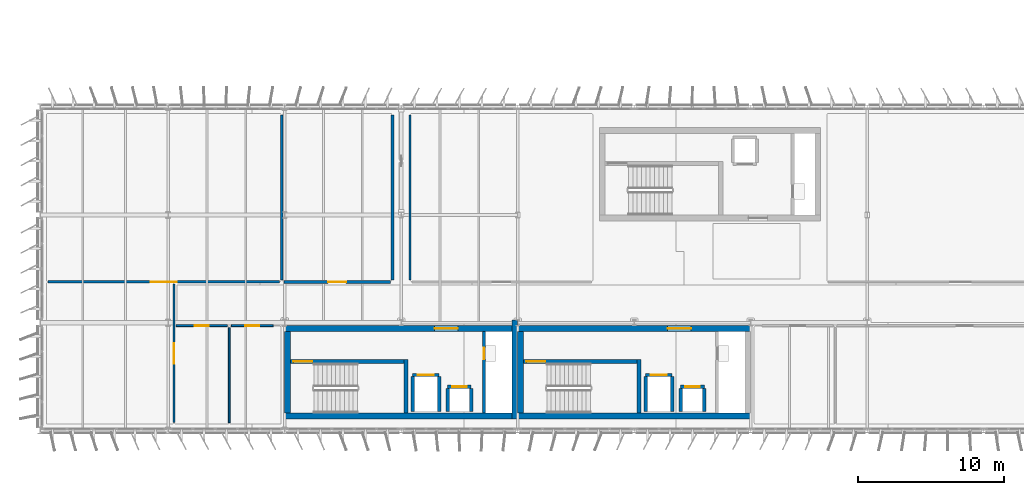
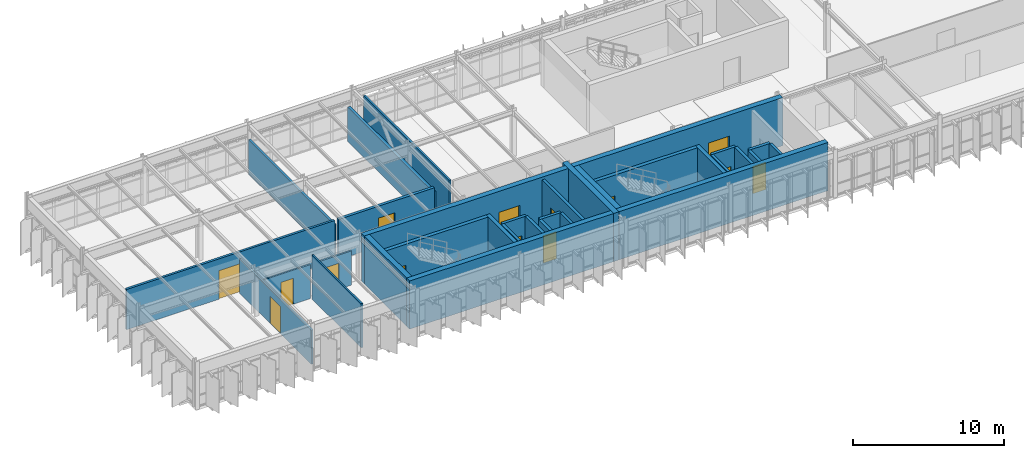
# One storey, part 27 of 35: 33 walls, 14 doors, 14 openings.
"""IFC4 building model written with IfcOpenShell, lengths in metres."""

from ifc_helpers import new_model, si_unit, direction, frame, frame_2d, origin, place, context, subcontext, project, spatial, rectangle, extrude, material, layer, layer_set, type_object, element, fill, save


model = new_model("IFC4")

# Units and contexts
model_context = context("Model", 3, precision=1e-05, world=origin(), true_north=direction((0.0, 1.0)))
body_context = subcontext(model_context, "Body", "Model", "MODEL_VIEW")
ifc_project = project(units=[si_unit("LENGTHUNIT", "METRE"), si_unit("AREAUNIT", "SQUARE_METRE"), si_unit("VOLUMEUNIT", "CUBIC_METRE"), si_unit("PLANEANGLEUNIT", "RADIAN"), si_unit("MASSUNIT", "GRAM", prefix="KILO")], contexts=[model_context])

# Site, building, storey
site_placement = place(None, origin())
site = spatial("IfcSite", under=ifc_project, at=site_placement, CompositionType="ELEMENT")
building_placement = place(site_placement, origin())
building = spatial("IfcBuilding", under=site, at=building_placement, Name="Valkorina Park Police Headquarters", CompositionType="ELEMENT")
storey_placement = place(building_placement, frame((0.0, 0.0, 27.199951171875)))
storey = spatial("IfcBuildingStorey", under=building, at=storey_placement, Name="L07", CompositionType="ELEMENT", Elevation=27.199951171875)

# Wall
ifc_material_1 = material(Name="Acoustic mineral board")
ifc_layer_1 = layer(ifc_material_1, 0.14990234375)
ifc_layer_set_1 = layer_set([ifc_layer_1], Name="Acoustic mineral board")
wall_type_1 = type_object("IfcWallType", Name="WL-ACOUST-150-EI30", PredefinedType="PARTITIONING", material=ifc_layer_set_1)
wall_1_placement = place(storey_placement, frame((25.39990234375, 47.340087890625, 0.0), z_axis=(0.0, 0.0, 1.0), x_axis=(0.0, 1.0, 0.0)))
element("IfcWall", 1, at=wall_1_placement, inside=storey, type_object=wall_type_1, Name="L07 Interior Partition 0263 (L07-TSK-03)", PredefinedType="PARTITIONING", context=body_context, shape_type="SweptSolid", body=[
    extrude(rectangle(XDim=11.31982421875, YDim=0.14990234375, at=frame_2d((5.659912109375, 0.0))), origin(), (0.0, 0.0, 1.0), 3.260009765625),
])

# Wall, opening, door
wall_2_placement = place(storey_placement, frame((9.199951171875, 37.5400390625, 0.0), z_axis=(0.0, 0.0, 1.0), x_axis=(0.0, 1.0, 0.0)))
wall_2 = element("IfcWall", 2, at=wall_2_placement, inside=storey, type_object=wall_type_1, Name="L07 Interior Partition 0264 (L07-TSK-05)", PredefinedType="PARTITIONING", context=body_context, shape_type="SweptSolid", body=[
    extrude(rectangle(XDim=9.52001953125, YDim=0.14990234375, at=frame_2d((4.760009765625, 0.0))), origin(), (0.0, 0.0, 1.0), 2.760009765625),
])
opening_1_placement = place(wall_2_placement, frame((4.06005859375, 0.0, 0.0)))
opening_1 = element("IfcOpeningElement", 3, at=opening_1_placement, cuts=wall_2, Name="Opening ID-07", PredefinedType="OPENING", context=body_context, shape_type="SweptSolid", body=[
    extrude(rectangle(XDim=1.39990234375, YDim=2.199951171875, at=frame_2d((0.699951171875, 1.10009765625))), frame((0.0, 0.0849609375, 0.0), z_axis=(0.0, -1.0, 0.0), x_axis=(1.0, 0.0, 0.0)), (0.0, 0.0, 1.0), 0.169921875),
])
ifc_material_2 = material(Name="Thermally broken aluminium AW-6060", Category="aluminium")
ifc_layer_2 = layer(ifc_material_2, 0.050048828125)
ifc_layer_set_2 = layer_set([ifc_layer_2], Name="Thermally broken aluminium AW-6060")
door_type_1 = type_object("IfcDoorType", Name="DR-INT-CONF-1400x2200", OperationType="NOTDEFINED", PredefinedType="DOOR", material=ifc_layer_set_2)
door_1_placement = place(opening_1_placement, origin())
door_1 = element("IfcDoor", 4, at=door_1_placement, inside=storey, type_object=door_type_1, Name="Door D-L07-I128 (L07-TSK-05)", OperationType="SINGLE_SWING_LEFT", OverallHeight=2.199951171875, OverallWidth=1.39990234375, PredefinedType="DOOR", context=body_context, shape_type="SweptSolid", body=[
    extrude(rectangle(XDim=1.39990234375, YDim=2.199951171875, at=frame_2d((0.699951171875, 1.10009765625))), frame((0.0, 0.02490234375, 0.0), z_axis=(0.0, -1.0, 0.0), x_axis=(1.0, 0.0, 0.0)), (0.0, 0.0, 1.0), 0.050048828125),
])
fill(opening_1, door_1)

ifc_layer_3 = layer(ifc_material_1, 0.175048828125)
ifc_layer_set_3 = layer_set([ifc_layer_3], Name="Acoustic mineral board")
wall_type_2 = type_object("IfcWallType", Name="WL-BRIEF-175-EI60", PredefinedType="PARTITIONING", material=ifc_layer_set_3)
wall_3_placement = place(storey_placement, frame((0.5400390625, 47.199951171875, 0.0), z_axis=(0.0, 0.0, 1.0), x_axis=(1.0, 0.0, 0.0)))
wall_3 = element("IfcWall", 5, at=wall_3_placement, inside=storey, type_object=wall_type_2, Name="L07 Interior Partition 0258 (L07-TSK-01)", PredefinedType="PARTITIONING", context=body_context, shape_type="SweptSolid", body=[
    extrude(rectangle(XDim=15.919921875, YDim=0.175048828125, at=frame_2d((7.9599609375, 0.0))), origin(), (0.0, 0.0, 1.0), 3.260009765625),
])
opening_2_placement = place(wall_3_placement, frame((7.06005859375, 0.0, 0.0)))
opening_2 = element("IfcOpeningElement", 6, at=opening_2_placement, cuts=wall_3, Name="Opening ID-09", PredefinedType="OPENING", context=body_context, shape_type="SweptSolid", body=[
    extrude(rectangle(XDim=1.800048828125, YDim=2.300048828125, at=frame_2d((0.89990234375, 1.14990234375))), frame((0.0, 0.09765625, 0.0), z_axis=(0.0, -1.0, 0.0), x_axis=(1.0, 0.0, 0.0)), (0.0, 0.0, 1.0), 0.195068359375),
])
ifc_layer_4 = layer(ifc_material_2, 0.050048828125)
ifc_layer_set_4 = layer_set([ifc_layer_4], Name="Thermally broken aluminium AW-6060")
door_type_2 = type_object("IfcDoorType", Name="DR-INT-AUD-1800x2300", OperationType="NOTDEFINED", PredefinedType="DOOR", material=ifc_layer_set_4)
door_2_placement = place(opening_2_placement, origin())
door_2 = element("IfcDoor", 7, at=door_2_placement, inside=storey, type_object=door_type_2, Name="Door D-L07-I125 (L07-TSK-01)", OperationType="DOUBLE_DOOR_SINGLE_SWING", OverallHeight=2.300048828125, OverallWidth=1.800048828125, PredefinedType="DOOR", context=body_context, shape_type="SweptSolid", body=[
    extrude(rectangle(XDim=1.800048828125, YDim=2.300048828125, at=frame_2d((0.89990234375, 1.14990234375))), frame((0.0, 0.02490234375, 0.0), z_axis=(0.0, -1.0, 0.0), x_axis=(1.0, 0.0, 0.0)), (0.0, 0.0, 1.0), 0.050048828125),
])
fill(opening_2, door_2)

# Wall
wall_4_placement = place(storey_placement, frame((16.60009765625, 47.340087890625, 0.0), z_axis=(0.0, 0.0, 1.0), x_axis=(0.0, 1.0, 0.0)))
element("IfcWall", 8, at=wall_4_placement, inside=storey, type_object=wall_type_2, Name="L07 Interior Partition 0259 (L07-TSK-01)", PredefinedType="PARTITIONING", context=body_context, shape_type="SweptSolid", body=[
    extrude(rectangle(XDim=11.31982421875, YDim=0.175048828125, at=frame_2d((5.659912109375, 0.0))), origin(), (0.0, 0.0, 1.0), 2.760009765625),
])

# Wall, opening, door
ifc_material_3 = material(Name="Autoclaved aerated concrete masonry", Category="masonry")
ifc_layer_5 = layer(ifc_material_3, 0.219970703125)
ifc_layer_set_5 = layer_set([ifc_layer_5], Name="Autoclaved aerated concrete masonry")
wall_type_3 = type_object("IfcWallType", Name="WL-CHASE-220-EI60", PredefinedType="PLUMBINGWALL", material=ifc_layer_set_5)
wall_5_placement = place(storey_placement, frame((25.590087890625, 40.81005859375, 0.0), z_axis=(0.0, 0.0, 1.0), x_axis=(1.0, 0.0, 0.0)))
wall_5 = element("IfcWall", 9, at=wall_5_placement, inside=storey, type_object=wall_type_3, Name="Lift LF-01 L07 Shaft Front Wall", PredefinedType="PLUMBINGWALL", context=body_context, shape_type="SweptSolid", body=[
    extrude(rectangle(XDim=1.81982421875, YDim=0.219970703125, at=frame_2d((0.909912109375, 0.0))), origin(), (0.0, 0.0, 1.0), 3.679931640625),
])
opening_3_placement = place(wall_5_placement, frame((0.360107421875, 0.0, 0.0)))
opening_3 = element("IfcOpeningElement", 10, at=opening_3_placement, cuts=wall_5, Name="Opening LD-01", PredefinedType="OPENING", context=body_context, shape_type="SweptSolid", body=[
    extrude(rectangle(XDim=1.10009765625, YDim=2.199951171875, at=frame_2d((0.550048828125, 1.10009765625))), frame((0.0, 0.1201171875, 0.0), z_axis=(0.0, -1.0, 0.0), x_axis=(1.0, 0.0, 0.0)), (0.0, 0.0, 1.0), 0.239990234375),
])
ifc_material_4 = material(Name="Stainless steel EN 1.4404", Category="steel")
ifc_layer_6 = layer(ifc_material_4, 0.050048828125)
ifc_layer_set_6 = layer_set([ifc_layer_6], Name="Stainless steel EN 1.4404")
door_type_3 = type_object("IfcDoorType", Name="DR-LIFT-FF-1100x2200", OperationType="NOTDEFINED", PredefinedType="DOOR", material=ifc_layer_set_6)
door_3_placement = place(opening_3_placement, origin())
door_3 = element("IfcDoor", 11, at=door_3_placement, inside=storey, type_object=door_type_3, Name="Lift Landing Door LF-01-L07", OperationType="DOUBLE_DOOR_SLIDING", OverallHeight=2.199951171875, OverallWidth=1.10009765625, PredefinedType="DOOR", context=body_context, shape_type="SweptSolid", body=[
    extrude(rectangle(XDim=1.10009765625, YDim=2.199951171875, at=frame_2d((0.550048828125, 1.10009765625))), frame((0.0, 0.02490234375, 0.0), z_axis=(0.0, -1.0, 0.0), x_axis=(1.0, 0.0, 0.0)), (0.0, 0.0, 1.0), 0.050048828125),
])
fill(opening_3, door_3)

# Walls
for number, where, z_axis, x_axis, name in (
    (12, (25.590087890625, 38.300048828125, 0.0), (0.0, 0.0, 1.0), (0.0, 1.0, 0.0), "Lift LF-01 L07 Shaft Side Wall W"),
    (13, (27.409912109375, 38.300048828125, 0.0), (0.0, 0.0, 1.0), (0.0, 1.0, 0.0), "Lift LF-01 L07 Shaft Side Wall E"),
):
    element("IfcWall", number, at=place(storey_placement, frame(where, z_axis=z_axis, x_axis=x_axis)), inside=storey, type_object=wall_type_3, Name=name, PredefinedType="PLUMBINGWALL", context=body_context, shape_type="SweptSolid", body=[
        extrude(rectangle(XDim=2.39990234375, YDim=0.219970703125, at=frame_2d((1.199951171875, 0.0))), origin(), (0.0, 0.0, 1.0), 3.679931640625),
    ])

# Wall, opening, door
wall_6_placement = place(storey_placement, frame((27.989990234375, 40.010009765625, 0.0), z_axis=(0.0, 0.0, 1.0), x_axis=(1.0, 0.0, 0.0)))
wall_6 = element("IfcWall", 14, at=wall_6_placement, inside=storey, type_object=wall_type_3, Name="Lift LF-03 L07 Shaft Front Wall", PredefinedType="PLUMBINGWALL", context=body_context, shape_type="SweptSolid", body=[
    extrude(rectangle(XDim=1.6201171875, YDim=0.219970703125, at=frame_2d((0.81005859375, 0.0))), origin(), (0.0, 0.0, 1.0), 3.679931640625),
])
opening_4_placement = place(wall_6_placement, frame((0.31005859375, 0.0, 0.0)))
opening_4 = element("IfcOpeningElement", 15, at=opening_4_placement, cuts=wall_6, Name="Opening LD-02", PredefinedType="OPENING", context=body_context, shape_type="SweptSolid", body=[
    extrude(rectangle(XDim=1.0, YDim=2.199951171875, at=frame_2d((0.5, 1.10009765625))), frame((0.0, 0.1201171875, 0.0), z_axis=(0.0, -1.0, 0.0), x_axis=(1.0, 0.0, 0.0)), (0.0, 0.0, 1.0), 0.239990234375),
])
ifc_layer_7 = layer(ifc_material_4, 0.050048828125)
ifc_layer_set_7 = layer_set([ifc_layer_7], Name="Stainless steel EN 1.4404")
door_type_4 = type_object("IfcDoorType", Name="DR-LIFT-PAX-1000x2200", OperationType="NOTDEFINED", PredefinedType="DOOR", material=ifc_layer_set_7)
door_4_placement = place(opening_4_placement, origin())
door_4 = element("IfcDoor", 16, at=door_4_placement, inside=storey, type_object=door_type_4, Name="Lift Landing Door LF-03-L07", OperationType="DOUBLE_DOOR_SLIDING", OverallHeight=2.199951171875, OverallWidth=1.0, PredefinedType="DOOR", context=body_context, shape_type="SweptSolid", body=[
    extrude(rectangle(XDim=1.0, YDim=2.199951171875, at=frame_2d((0.5, 1.10009765625))), frame((0.0, 0.02490234375, 0.0), z_axis=(0.0, -1.0, 0.0), x_axis=(1.0, 0.0, 0.0)), (0.0, 0.0, 1.0), 0.050048828125),
])
fill(opening_4, door_4)

# Walls
for number, where, z_axis, x_axis, name in (
    (17, (27.989990234375, 38.300048828125, 0.0), (0.0, 0.0, 1.0), (0.0, 1.0, 0.0), "Lift LF-03 L07 Shaft Side Wall W"),
    (18, (29.610107421875, 38.300048828125, 0.0), (0.0, 0.0, 1.0), (0.0, 1.0, 0.0), "Lift LF-03 L07 Shaft Side Wall E"),
):
    element("IfcWall", number, at=place(storey_placement, frame(where, z_axis=z_axis, x_axis=x_axis)), inside=storey, type_object=wall_type_3, Name=name, PredefinedType="PLUMBINGWALL", context=body_context, shape_type="SweptSolid", body=[
        extrude(rectangle(XDim=1.599853515625, YDim=0.219970703125, at=frame_2d((0.7998046875, 0.0))), origin(), (0.0, 0.0, 1.0), 3.679931640625),
    ])

# Wall, opening, door
wall_7_placement = place(storey_placement, frame((30.489990234375, 38.199951171875, 0.0), z_axis=(0.0, 0.0, 1.0), x_axis=(0.0, 1.0, 0.0)))
wall_7 = element("IfcWall", 19, at=wall_7_placement, inside=storey, type_object=wall_type_3, Name="Core C1 L07 Riser Shaft West Wall", PredefinedType="PLUMBINGWALL", context=body_context, shape_type="SweptSolid", body=[
    extrude(rectangle(XDim=5.60009765625, YDim=0.219970703125, at=frame_2d((2.800048828125, 0.0))), origin(), (0.0, 0.0, 1.0), 3.679931640625),
])
opening_5_placement = place(wall_7_placement, frame((3.699951171875, 0.0, 0.0)))
opening_5 = element("IfcOpeningElement", 20, at=opening_5_placement, cuts=wall_7, Name="Opening ID-01", PredefinedType="OPENING", context=body_context, shape_type="SweptSolid", body=[
    extrude(rectangle(XDim=0.800048828125, YDim=2.10009765625, at=frame_2d((0.39990234375, 1.050048828125))), frame((0.0, 0.1201171875, 0.0), z_axis=(0.0, -1.0, 0.0), x_axis=(1.0, 0.0, 0.0)), (0.0, 0.0, 1.0), 0.239990234375),
])
ifc_material_5 = material(Name="Galvanized steel door leaf", Category="steel")
ifc_layer_8 = layer(ifc_material_5, 0.050048828125)
ifc_layer_set_8 = layer_set([ifc_layer_8], Name="Galvanized steel door leaf")
door_type_5 = type_object("IfcDoorType", Name="DR-INT-RISER-800x2100", OperationType="NOTDEFINED", PredefinedType="DOOR", material=ifc_layer_set_8)
door_5_placement = place(opening_5_placement, origin())
door_5 = element("IfcDoor", 21, at=door_5_placement, inside=storey, type_object=door_type_5, Name="Riser Shaft Access Door C1-L07", OperationType="SINGLE_SWING_RIGHT", OverallHeight=2.10009765625, OverallWidth=0.800048828125, PredefinedType="DOOR", context=body_context, shape_type="SweptSolid", body=[
    extrude(rectangle(XDim=0.800048828125, YDim=2.10009765625, at=frame_2d((0.39990234375, 1.050048828125))), frame((0.0, 0.02490234375, 0.0), z_axis=(0.0, -1.0, 0.0), x_axis=(1.0, 0.0, 0.0)), (0.0, 0.0, 1.0), 0.050048828125),
])
fill(opening_5, door_5)

wall_8_placement = place(storey_placement, frame((41.590087890625, 40.81005859375, 0.0), z_axis=(0.0, 0.0, 1.0), x_axis=(1.0, 0.0, 0.0)))
wall_8 = element("IfcWall", 22, at=wall_8_placement, inside=storey, type_object=wall_type_3, Name="Lift LF-02 L07 Shaft Front Wall", PredefinedType="PLUMBINGWALL", context=body_context, shape_type="SweptSolid", body=[
    extrude(rectangle(XDim=1.81982421875, YDim=0.219970703125, at=frame_2d((0.909912109375, 0.0))), origin(), (0.0, 0.0, 1.0), 3.679931640625),
])
opening_6_placement = place(wall_8_placement, frame((0.360107421875, 0.0, 0.0)))
opening_6 = element("IfcOpeningElement", 23, at=opening_6_placement, cuts=wall_8, Name="Opening LD-01", PredefinedType="OPENING", context=body_context, shape_type="SweptSolid", body=[
    extrude(rectangle(XDim=1.10009765625, YDim=2.199951171875, at=frame_2d((0.550048828125, 1.10009765625))), frame((0.0, 0.1201171875, 0.0), z_axis=(0.0, -1.0, 0.0), x_axis=(1.0, 0.0, 0.0)), (0.0, 0.0, 1.0), 0.239990234375),
])
door_6_placement = place(opening_6_placement, origin())
door_6 = element("IfcDoor", 24, at=door_6_placement, inside=storey, type_object=door_type_3, Name="Lift Landing Door LF-02-L07", OperationType="DOUBLE_DOOR_SLIDING", OverallHeight=2.199951171875, OverallWidth=1.10009765625, PredefinedType="DOOR", context=body_context, shape_type="SweptSolid", body=[
    extrude(rectangle(XDim=1.10009765625, YDim=2.199951171875, at=frame_2d((0.550048828125, 1.10009765625))), frame((0.0, 0.02490234375, 0.0), z_axis=(0.0, -1.0, 0.0), x_axis=(1.0, 0.0, 0.0)), (0.0, 0.0, 1.0), 0.050048828125),
])
fill(opening_6, door_6)

# Walls
for number, where, z_axis, x_axis, name in (
    (25, (41.590087890625, 38.300048828125, 0.0), (0.0, 0.0, 1.0), (0.0, 1.0, 0.0), "Lift LF-02 L07 Shaft Side Wall W"),
    (26, (43.409912109375, 38.300048828125, 0.0), (0.0, 0.0, 1.0), (0.0, 1.0, 0.0), "Lift LF-02 L07 Shaft Side Wall E"),
):
    element("IfcWall", number, at=place(storey_placement, frame(where, z_axis=z_axis, x_axis=x_axis)), inside=storey, type_object=wall_type_3, Name=name, PredefinedType="PLUMBINGWALL", context=body_context, shape_type="SweptSolid", body=[
        extrude(rectangle(XDim=2.39990234375, YDim=0.219970703125, at=frame_2d((1.199951171875, 0.0))), origin(), (0.0, 0.0, 1.0), 3.679931640625),
    ])

# Wall, opening, door
wall_9_placement = place(storey_placement, frame((43.989990234375, 40.010009765625, 0.0), z_axis=(0.0, 0.0, 1.0), x_axis=(1.0, 0.0, 0.0)))
wall_9 = element("IfcWall", 27, at=wall_9_placement, inside=storey, type_object=wall_type_3, Name="Lift LF-04 L07 Shaft Front Wall", PredefinedType="PLUMBINGWALL", context=body_context, shape_type="SweptSolid", body=[
    extrude(rectangle(XDim=1.6201171875, YDim=0.219970703125, at=frame_2d((0.81005859375, 0.0))), origin(), (0.0, 0.0, 1.0), 3.679931640625),
])
opening_7_placement = place(wall_9_placement, frame((0.31005859375, 0.0, 0.0)))
opening_7 = element("IfcOpeningElement", 28, at=opening_7_placement, cuts=wall_9, Name="Opening LD-02", PredefinedType="OPENING", context=body_context, shape_type="SweptSolid", body=[
    extrude(rectangle(XDim=1.0, YDim=2.199951171875, at=frame_2d((0.5, 1.10009765625))), frame((0.0, 0.1201171875, 0.0), z_axis=(0.0, -1.0, 0.0), x_axis=(1.0, 0.0, 0.0)), (0.0, 0.0, 1.0), 0.239990234375),
])
door_7_placement = place(opening_7_placement, origin())
door_7 = element("IfcDoor", 29, at=door_7_placement, inside=storey, type_object=door_type_4, Name="Lift Landing Door LF-04-L07", OperationType="DOUBLE_DOOR_SLIDING", OverallHeight=2.199951171875, OverallWidth=1.0, PredefinedType="DOOR", context=body_context, shape_type="SweptSolid", body=[
    extrude(rectangle(XDim=1.0, YDim=2.199951171875, at=frame_2d((0.5, 1.10009765625))), frame((0.0, 0.02490234375, 0.0), z_axis=(0.0, -1.0, 0.0), x_axis=(1.0, 0.0, 0.0)), (0.0, 0.0, 1.0), 0.050048828125),
])
fill(opening_7, door_7)

# Walls
for number, where, z_axis, x_axis, name in (
    (30, (43.989990234375, 38.300048828125, 0.0), (0.0, 0.0, 1.0), (0.0, 1.0, 0.0), "Lift LF-04 L07 Shaft Side Wall W"),
    (31, (45.610107421875, 38.300048828125, 0.0), (0.0, 0.0, 1.0), (0.0, 1.0, 0.0), "Lift LF-04 L07 Shaft Side Wall E"),
):
    element("IfcWall", number, at=place(storey_placement, frame(where, z_axis=z_axis, x_axis=x_axis)), inside=storey, type_object=wall_type_3, Name=name, PredefinedType="PLUMBINGWALL", context=body_context, shape_type="SweptSolid", body=[
        extrude(rectangle(XDim=1.599853515625, YDim=0.219970703125, at=frame_2d((0.7998046875, 0.0))), origin(), (0.0, 0.0, 1.0), 3.679931640625),
    ])

# Wall, opening, door
wall_10_placement = place(storey_placement, frame((16.739990234375, 47.199951171875, 0.0), z_axis=(0.0, 0.0, 1.0), x_axis=(1.0, 0.0, 0.0)))
wall_10 = element("IfcWall", 32, at=wall_10_placement, inside=storey, type_object=wall_type_3, Name="L07 Interior Partition 0260 (L07-TSK-02)", PredefinedType="PLUMBINGWALL", context=body_context, shape_type="SweptSolid", body=[
    extrude(rectangle(XDim=7.320068359375, YDim=0.219970703125, at=frame_2d((3.66015625, 0.0))), origin(), (0.0, 0.0, 1.0), 3.260009765625),
])
opening_8_placement = place(wall_10_placement, frame((3.034912109375, 0.0, 0.0)))
opening_8 = element("IfcOpeningElement", 33, at=opening_8_placement, cuts=wall_10, Name="Opening FD-06", PredefinedType="OPENING", context=body_context, shape_type="SweptSolid", body=[
    extrude(rectangle(XDim=1.25, YDim=2.300048828125, at=frame_2d((0.625, 1.14990234375))), frame((0.0, 0.1201171875, 0.0), z_axis=(0.0, -1.0, 0.0), x_axis=(1.0, 0.0, 0.0)), (0.0, 0.0, 1.0), 0.239990234375),
])
ifc_layer_9 = layer(ifc_material_5, 0.050048828125)
ifc_layer_set_9 = layer_set([ifc_layer_9], Name="Galvanized steel door leaf")
door_type_6 = type_object("IfcDoorType", Name="DR-FIRE-LAB-1250x2300", OperationType="NOTDEFINED", PredefinedType="DOOR", material=ifc_layer_set_9)
door_8_placement = place(opening_8_placement, origin())
door_8 = element("IfcDoor", 34, at=door_8_placement, inside=storey, type_object=door_type_6, Name="Door D-L07-I126 (L07-TSK-02)", OperationType="SINGLE_SWING_LEFT", OverallHeight=2.300048828125, OverallWidth=1.25, PredefinedType="DOOR", context=body_context, shape_type="SweptSolid", body=[
    extrude(rectangle(XDim=1.25, YDim=2.300048828125, at=frame_2d((0.625, 1.14990234375))), frame((0.0, 0.02490234375, 0.0), z_axis=(0.0, -1.0, 0.0), x_axis=(1.0, 0.0, 0.0)), (0.0, 0.0, 1.0), 0.050048828125),
])
fill(opening_8, door_8)

# Walls
wall_11_placement = place(storey_placement, frame((24.199951171875, 47.340087890625, 0.0), z_axis=(0.0, 0.0, 1.0), x_axis=(0.0, 1.0, 0.0)))
element("IfcWall", 35, at=wall_11_placement, inside=storey, type_object=wall_type_3, Name="L07 Interior Partition 0261 (L07-TSK-02)", PredefinedType="PLUMBINGWALL", context=body_context, shape_type="SweptSolid", body=[
    extrude(rectangle(XDim=11.31982421875, YDim=0.219970703125, at=frame_2d((5.659912109375, 0.0))), origin(), (0.0, 0.0, 1.0), 2.760009765625),
])
ifc_material_6 = material(Name="Concrete C40/50", Category="concrete")
ifc_layer_10 = layer(ifc_material_6, 0.39990234375)
ifc_layer_set_10 = layer_set([ifc_layer_10], Name="Concrete C40/50")
wall_type_4 = type_object("IfcWallType", Name="WL-CORE-400-REI180", PredefinedType="SHEAR", material=ifc_layer_set_10)
wall_12_placement = place(storey_placement, frame((16.800048828125, 38.0, 0.0), z_axis=(0.0, 0.0, 1.0), x_axis=(1.0, 0.0, 0.0)))
element("IfcWall", 36, at=wall_12_placement, inside=storey, type_object=wall_type_4, Name="Core C1 L07 Shear Wall S", PredefinedType="SHEAR", context=body_context, shape_type="SweptSolid", body=[
    extrude(rectangle(XDim=16.39990234375, YDim=0.39990234375, at=frame_2d((8.199951171875, 0.0))), origin(), (0.0, 0.0, 1.0), 3.89501953125),
])

# Wall, opening, door
wall_13_placement = place(storey_placement, frame((16.800048828125, 44.0, 0.0), z_axis=(0.0, 0.0, 1.0), x_axis=(1.0, 0.0, 0.0)))
wall_13 = element("IfcWall", 37, at=wall_13_placement, inside=storey, type_object=wall_type_4, Name="Core C1 L07 Shear Wall N", PredefinedType="SHEAR", context=body_context, shape_type="SweptSolid", body=[
    extrude(rectangle(XDim=16.39990234375, YDim=0.39990234375, at=frame_2d((8.199951171875, 0.0))), origin(), (0.0, 0.0, 1.0), 3.89501953125),
])
opening_9_placement = place(wall_13_placement, frame((10.300048828125, 0.0, 0.0)))
opening_9 = element("IfcOpeningElement", 38, at=opening_9_placement, cuts=wall_13, Name="Opening FD-04", PredefinedType="OPENING", context=body_context, shape_type="SweptSolid", body=[
    extrude(rectangle(XDim=1.60009765625, YDim=2.199951171875, at=frame_2d((0.800048828125, 1.10009765625))), frame((0.0, 0.2099609375, 0.0), z_axis=(0.0, -1.0, 0.0), x_axis=(1.0, 0.0, 0.0)), (0.0, 0.0, 1.0), 0.419921875),
])
ifc_layer_11 = layer(ifc_material_5, 0.050048828125)
ifc_layer_set_11 = layer_set([ifc_layer_11], Name="Galvanized steel door leaf")
door_type_7 = type_object("IfcDoorType", Name="DR-FIRE-FFL-1600x2200", OperationType="NOTDEFINED", PredefinedType="DOOR", material=ifc_layer_set_11)
door_9_placement = place(opening_9_placement, origin())
door_9 = element("IfcDoor", 39, at=door_9_placement, inside=storey, type_object=door_type_7, Name="Door D-L07-FFL-C1 (Firefighting Lift Lobby Door)", OperationType="DOUBLE_DOOR_SINGLE_SWING", OverallHeight=2.199951171875, OverallWidth=1.60009765625, PredefinedType="DOOR", context=body_context, shape_type="SweptSolid", body=[
    extrude(rectangle(XDim=1.60009765625, YDim=2.199951171875, at=frame_2d((0.800048828125, 1.10009765625))), frame((0.0, 0.02490234375, 0.0), z_axis=(0.0, -1.0, 0.0), x_axis=(1.0, 0.0, 0.0)), (0.0, 0.0, 1.0), 0.050048828125),
])
fill(opening_9, door_9)

# Walls
wall_14_placement = place(storey_placement, frame((17.0, 38.199951171875, 0.0), z_axis=(0.0, 0.0, 1.0), x_axis=(0.0, 1.0, 0.0)))
element("IfcWall", 40, at=wall_14_placement, inside=storey, type_object=wall_type_4, Name="Core C1 L07 Shear Wall W", PredefinedType="SHEAR", context=body_context, shape_type="SweptSolid", body=[
    extrude(rectangle(XDim=5.60009765625, YDim=0.39990234375, at=frame_2d((2.800048828125, 0.0))), origin(), (0.0, 0.0, 1.0), 3.89501953125),
])
wall_15_placement = place(storey_placement, frame((32.60009765625, 37.800048828125, 0.0), z_axis=(0.0, 0.0, 1.0), x_axis=(0.0, 1.0, 0.0)))
element("IfcWall", 41, at=wall_15_placement, inside=storey, type_object=wall_type_4, Name="Core C1 L07 Shear Wall E", PredefinedType="SHEAR", context=body_context, shape_type="SweptSolid", body=[
    extrude(rectangle(XDim=6.800048828125, YDim=0.39990234375, at=frame_2d((3.39990234375, 0.0))), origin(), (0.0, 0.0, 1.0), 3.89501953125),
])
wall_16_placement = place(storey_placement, frame((32.800048828125, 38.0, 0.0), z_axis=(0.0, 0.0, 1.0), x_axis=(1.0, 0.0, 0.0)))
element("IfcWall", 42, at=wall_16_placement, inside=storey, type_object=wall_type_4, Name="Core C2 L07 Shear Wall S", PredefinedType="SHEAR", context=body_context, shape_type="SweptSolid", body=[
    extrude(rectangle(XDim=16.0, YDim=0.39990234375, at=frame_2d((8.0, 0.0))), origin(), (0.0, 0.0, 1.0), 3.89501953125),
])

# Wall, opening, door
wall_17_placement = place(storey_placement, frame((32.800048828125, 44.0, 0.0), z_axis=(0.0, 0.0, 1.0), x_axis=(1.0, 0.0, 0.0)))
wall_17 = element("IfcWall", 43, at=wall_17_placement, inside=storey, type_object=wall_type_4, Name="Core C2 L07 Shear Wall N", PredefinedType="SHEAR", context=body_context, shape_type="SweptSolid", body=[
    extrude(rectangle(XDim=16.0, YDim=0.39990234375, at=frame_2d((8.0, 0.0))), origin(), (0.0, 0.0, 1.0), 3.89501953125),
])
opening_10_placement = place(wall_17_placement, frame((10.300048828125, 0.0, 0.0)))
opening_10 = element("IfcOpeningElement", 44, at=opening_10_placement, cuts=wall_17, Name="Opening FD-04", PredefinedType="OPENING", context=body_context, shape_type="SweptSolid", body=[
    extrude(rectangle(XDim=1.60009765625, YDim=2.199951171875, at=frame_2d((0.800048828125, 1.10009765625))), frame((0.0, 0.2099609375, 0.0), z_axis=(0.0, -1.0, 0.0), x_axis=(1.0, 0.0, 0.0)), (0.0, 0.0, 1.0), 0.419921875),
])
door_10_placement = place(opening_10_placement, origin())
door_10 = element("IfcDoor", 45, at=door_10_placement, inside=storey, type_object=door_type_7, Name="Door D-L07-FFL-C2 (Firefighting Lift Lobby Door)", OperationType="DOUBLE_DOOR_SINGLE_SWING", OverallHeight=2.199951171875, OverallWidth=1.60009765625, PredefinedType="DOOR", context=body_context, shape_type="SweptSolid", body=[
    extrude(rectangle(XDim=1.60009765625, YDim=2.199951171875, at=frame_2d((0.800048828125, 1.10009765625))), frame((0.0, 0.02490234375, 0.0), z_axis=(0.0, -1.0, 0.0), x_axis=(1.0, 0.0, 0.0)), (0.0, 0.0, 1.0), 0.050048828125),
])
fill(opening_10, door_10)

# Wall
wall_18_placement = place(storey_placement, frame((33.0, 38.199951171875, 0.0), z_axis=(0.0, 0.0, 1.0), x_axis=(0.0, 1.0, 0.0)))
element("IfcWall", 46, at=wall_18_placement, inside=storey, type_object=wall_type_4, Name="Core C2 L07 Shear Wall W", PredefinedType="SHEAR", context=body_context, shape_type="SweptSolid", body=[
    extrude(rectangle(XDim=5.60009765625, YDim=0.39990234375, at=frame_2d((2.800048828125, 0.0))), origin(), (0.0, 0.0, 1.0), 3.89501953125),
])

# Wall, opening, door
ifc_material_7 = material(Name="Gypsum plasterboard")
ifc_layer_12 = layer(ifc_material_7, 0.125)
ifc_layer_set_12 = layer_set([ifc_layer_12], Name="Gypsum plasterboard")
wall_type_5 = type_object("IfcWallType", Name="WL-PART-125-EI30", PredefinedType="PARTITIONING", material=ifc_layer_set_12)
wall_19_placement = place(storey_placement, frame((9.340087890625, 44.199951171875, 0.0), z_axis=(0.0, 0.0, 1.0), x_axis=(1.0, 0.0, 0.0)))
wall_19 = element("IfcWall", 47, at=wall_19_placement, inside=storey, type_object=wall_type_5, Name="L07 Interior Partition 0265 (L07-WC-M)", PredefinedType="PARTITIONING", context=body_context, shape_type="SweptSolid", body=[
    extrude(rectangle(XDim=3.52001953125, YDim=0.125, at=frame_2d((1.760009765625, 0.0))), origin(), (0.0, 0.0, 1.0), 2.760009765625),
])
opening_11_placement = place(wall_19_placement, frame((1.284912109375, 0.0, 0.0)))
opening_11 = element("IfcOpeningElement", 48, at=opening_11_placement, cuts=wall_19, Name="Opening ID-02", PredefinedType="OPENING", context=body_context, shape_type="SweptSolid", body=[
    extrude(rectangle(XDim=0.949951171875, YDim=2.10009765625, at=frame_2d((0.47509765625, 1.050048828125))), frame((0.0, 0.072509765625, 0.0), z_axis=(0.0, -1.0, 0.0), x_axis=(1.0, 0.0, 0.0)), (0.0, 0.0, 1.0), 0.14501953125),
])
ifc_layer_13 = layer(ifc_material_2, 0.050048828125)
ifc_layer_set_13 = layer_set([ifc_layer_13], Name="Thermally broken aluminium AW-6060")
door_type_8 = type_object("IfcDoorType", Name="DR-INT-WC-950x2100", OperationType="NOTDEFINED", PredefinedType="DOOR", material=ifc_layer_set_13)
door_11_placement = place(opening_11_placement, origin())
door_11 = element("IfcDoor", 49, at=door_11_placement, inside=storey, type_object=door_type_8, Name="Door D-L07-I129 (L07-WC-M)", OperationType="SINGLE_SWING_RIGHT", OverallHeight=2.10009765625, OverallWidth=0.949951171875, PredefinedType="DOOR", context=body_context, shape_type="SweptSolid", body=[
    extrude(rectangle(XDim=0.949951171875, YDim=2.10009765625, at=frame_2d((0.47509765625, 1.050048828125))), frame((0.0, 0.02490234375, 0.0), z_axis=(0.0, -1.0, 0.0), x_axis=(1.0, 0.0, 0.0)), (0.0, 0.0, 1.0), 0.050048828125),
])
fill(opening_11, door_11)

# Wall
wall_20_placement = place(storey_placement, frame((13.0, 37.5400390625, 0.0), z_axis=(0.0, 0.0, 1.0), x_axis=(0.0, 1.0, 0.0)))
element("IfcWall", 50, at=wall_20_placement, inside=storey, type_object=wall_type_5, Name="L07 Interior Partition 0266 (L07-WC-M)", PredefinedType="PARTITIONING", context=body_context, shape_type="SweptSolid", body=[
    extrude(rectangle(XDim=6.52001953125, YDim=0.125, at=frame_2d((3.260009765625, 0.0))), origin(), (0.0, 0.0, 1.0), 3.570068359375),
])

# Wall, opening, door
wall_21_placement = place(storey_placement, frame((13.139892578125, 44.199951171875, 0.0), z_axis=(0.0, 0.0, 1.0), x_axis=(1.0, 0.0, 0.0)))
wall_21 = element("IfcWall", 51, at=wall_21_placement, inside=storey, type_object=wall_type_5, Name="L07 Interior Partition 0267 (L07-WC-F)", PredefinedType="PARTITIONING", context=body_context, shape_type="SweptSolid", body=[
    extrude(rectangle(XDim=2.8701171875, YDim=0.125, at=frame_2d((1.43505859375, 0.0))), origin(), (0.0, 0.0, 1.0), 2.760009765625),
])
opening_12_placement = place(wall_21_placement, frame((0.9599609375, 0.0, 0.0)))
opening_12 = element("IfcOpeningElement", 52, at=opening_12_placement, cuts=wall_21, Name="Opening ID-02", PredefinedType="OPENING", context=body_context, shape_type="SweptSolid", body=[
    extrude(rectangle(XDim=0.949951171875, YDim=2.10009765625, at=frame_2d((0.47509765625, 1.050048828125))), frame((0.0, 0.072509765625, 0.0), z_axis=(0.0, -1.0, 0.0), x_axis=(1.0, 0.0, 0.0)), (0.0, 0.0, 1.0), 0.14501953125),
])
door_12_placement = place(opening_12_placement, origin())
door_12 = element("IfcDoor", 53, at=door_12_placement, inside=storey, type_object=door_type_8, Name="Door D-L07-I130 (L07-WC-F)", OperationType="SINGLE_SWING_LEFT", OverallHeight=2.10009765625, OverallWidth=0.949951171875, PredefinedType="DOOR", context=body_context, shape_type="SweptSolid", body=[
    extrude(rectangle(XDim=0.949951171875, YDim=2.10009765625, at=frame_2d((0.47509765625, 1.050048828125))), frame((0.0, 0.02490234375, 0.0), z_axis=(0.0, -1.0, 0.0), x_axis=(1.0, 0.0, 0.0)), (0.0, 0.0, 1.0), 0.050048828125),
])
fill(opening_12, door_12)

# Wall
ifc_layer_14 = layer(ifc_material_6, 0.280029296875)
ifc_layer_set_14 = layer_set([ifc_layer_14], Name="Concrete C40/50")
wall_type_6 = type_object("IfcWallType", Name="WL-STAIR-280-REI120", PredefinedType="SHEAR", material=ifc_layer_set_14)
wall_22_placement = place(storey_placement, frame((25.139892578125, 38.199951171875, 0.0), z_axis=(0.0, 0.0, 1.0), x_axis=(0.0, 1.0, 0.0)))
element("IfcWall", 54, at=wall_22_placement, inside=storey, type_object=wall_type_6, Name="Core C1 L07 Shear Wall DIV", PredefinedType="SHEAR", context=body_context, shape_type="SweptSolid", body=[
    extrude(rectangle(XDim=3.679931640625, YDim=0.280029296875, at=frame_2d((1.83984375, 0.0))), origin(), (0.0, 0.0, 1.0), 3.89501953125),
])

# Wall, opening, door
wall_23_placement = place(storey_placement, frame((17.199951171875, 41.739990234375, 0.0), z_axis=(0.0, 0.0, 1.0), x_axis=(1.0, 0.0, 0.0)))
wall_23 = element("IfcWall", 55, at=wall_23_placement, inside=storey, type_object=wall_type_6, Name="Core C1 L07 Shear Wall SIDE", PredefinedType="SHEAR", context=body_context, shape_type="SweptSolid", body=[
    extrude(rectangle(XDim=7.800048828125, YDim=0.280029296875, at=frame_2d((3.89990234375, 0.0))), origin(), (0.0, 0.0, 1.0), 3.89501953125),
])
opening_13_placement = place(wall_23_placement, frame((0.199951171875, 0.0, 0.0)))
opening_13 = element("IfcOpeningElement", 56, at=opening_13_placement, cuts=wall_23, Name="Opening FD-03", PredefinedType="OPENING", context=body_context, shape_type="SweptSolid", body=[
    extrude(rectangle(XDim=1.300048828125, YDim=2.199951171875, at=frame_2d((0.64990234375, 1.10009765625))), frame((0.0, 0.14990234375, 0.0), z_axis=(0.0, -1.0, 0.0), x_axis=(1.0, 0.0, 0.0)), (0.0, 0.0, 1.0), 0.300048828125),
])
ifc_layer_15 = layer(ifc_material_5, 0.050048828125)
ifc_layer_set_15 = layer_set([ifc_layer_15], Name="Galvanized steel door leaf")
door_type_9 = type_object("IfcDoorType", Name="DR-FIRE-STAIR-1300x2200", OperationType="NOTDEFINED", PredefinedType="DOOR", material=ifc_layer_set_15)
door_13_placement = place(opening_13_placement, origin())
door_13 = element("IfcDoor", 57, at=door_13_placement, inside=storey, type_object=door_type_9, Name="Door D-L07-C036 (ST-01 Stair Fire Door)", OperationType="SINGLE_SWING_LEFT", OverallHeight=2.199951171875, OverallWidth=1.300048828125, PredefinedType="DOOR", context=body_context, shape_type="SweptSolid", body=[
    extrude(rectangle(XDim=1.300048828125, YDim=2.199951171875, at=frame_2d((0.64990234375, 1.10009765625))), frame((0.0, 0.02490234375, 0.0), z_axis=(0.0, -1.0, 0.0), x_axis=(1.0, 0.0, 0.0)), (0.0, 0.0, 1.0), 0.050048828125),
])
fill(opening_13, door_13)

# Wall
wall_24_placement = place(storey_placement, frame((41.139892578125, 38.199951171875, 0.0), z_axis=(0.0, 0.0, 1.0), x_axis=(0.0, 1.0, 0.0)))
element("IfcWall", 58, at=wall_24_placement, inside=storey, type_object=wall_type_6, Name="Core C2 L07 Shear Wall DIV", PredefinedType="SHEAR", context=body_context, shape_type="SweptSolid", body=[
    extrude(rectangle(XDim=3.679931640625, YDim=0.280029296875, at=frame_2d((1.83984375, 0.0))), origin(), (0.0, 0.0, 1.0), 3.89501953125),
])

# Wall, opening, door
wall_25_placement = place(storey_placement, frame((33.199951171875, 41.739990234375, 0.0), z_axis=(0.0, 0.0, 1.0), x_axis=(1.0, 0.0, 0.0)))
wall_25 = element("IfcWall", 59, at=wall_25_placement, inside=storey, type_object=wall_type_6, Name="Core C2 L07 Shear Wall SIDE", PredefinedType="SHEAR", context=body_context, shape_type="SweptSolid", body=[
    extrude(rectangle(XDim=7.800048828125, YDim=0.280029296875, at=frame_2d((3.89990234375, 0.0))), origin(), (0.0, 0.0, 1.0), 3.89501953125),
])
opening_14_placement = place(wall_25_placement, frame((0.199951171875, 0.0, 0.0)))
opening_14 = element("IfcOpeningElement", 60, at=opening_14_placement, cuts=wall_25, Name="Opening FD-03", PredefinedType="OPENING", context=body_context, shape_type="SweptSolid", body=[
    extrude(rectangle(XDim=1.300048828125, YDim=2.199951171875, at=frame_2d((0.64990234375, 1.10009765625))), frame((0.0, 0.14990234375, 0.0), z_axis=(0.0, -1.0, 0.0), x_axis=(1.0, 0.0, 0.0)), (0.0, 0.0, 1.0), 0.300048828125),
])
door_14_placement = place(opening_14_placement, origin())
door_14 = element("IfcDoor", 61, at=door_14_placement, inside=storey, type_object=door_type_9, Name="Door D-L07-C081 (ST-02 Stair Fire Door)", OperationType="SINGLE_SWING_RIGHT", OverallHeight=2.199951171875, OverallWidth=1.300048828125, PredefinedType="DOOR", context=body_context, shape_type="SweptSolid", body=[
    extrude(rectangle(XDim=1.300048828125, YDim=2.199951171875, at=frame_2d((0.64990234375, 1.10009765625))), frame((0.0, 0.02490234375, 0.0), z_axis=(0.0, -1.0, 0.0), x_axis=(1.0, 0.0, 0.0)), (0.0, 0.0, 1.0), 0.050048828125),
])
fill(opening_14, door_14)

save(model, "model.ifc")
